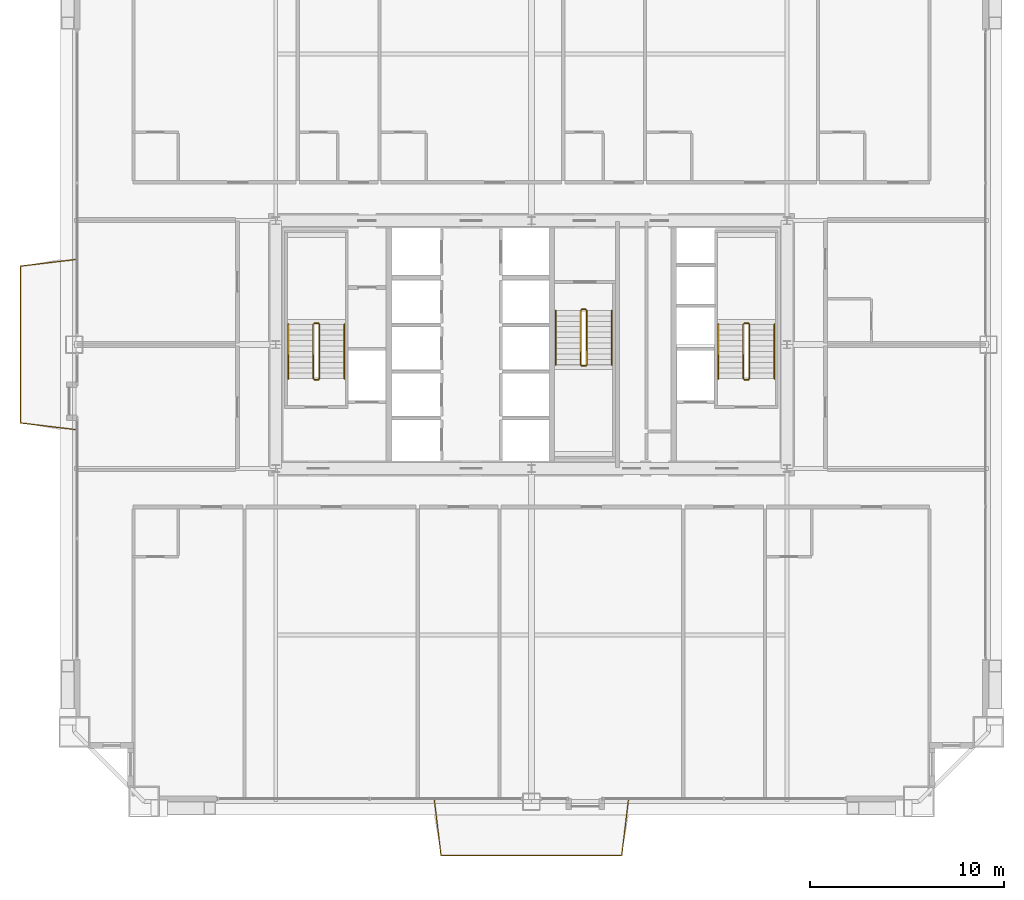
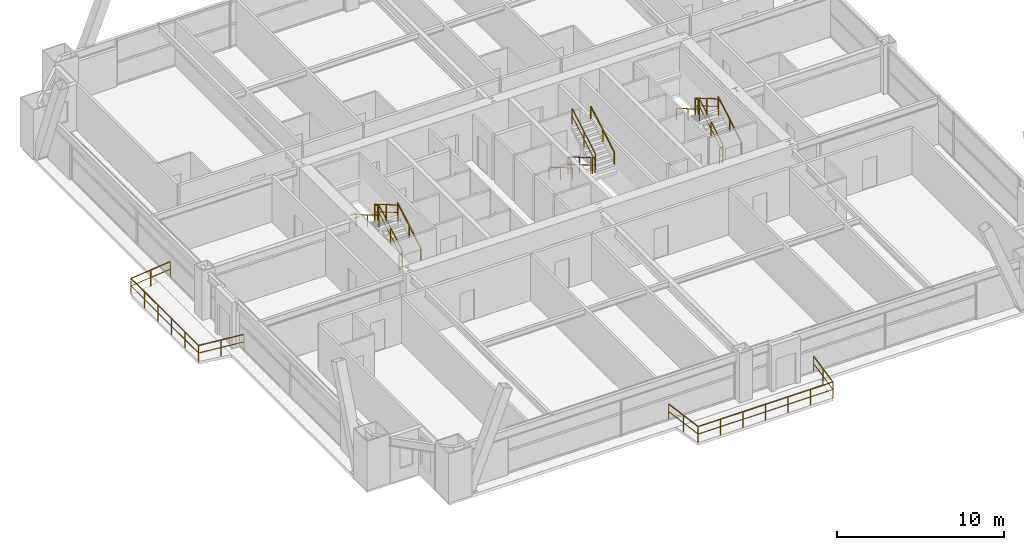
# One storey, part 42 of 42: 20 railings.
"""IFC4 building model written with IfcOpenShell, lengths in metres."""

from ifc_helpers import new_model, si_unit, direction, frame, origin, origin_2d, place, context, subcontext, project, spatial, rectangle, extrude, source, transform, mapped, material, layer, layer_set, type_object, element, save


model = new_model("IFC4")

# Units and contexts
model_context = context("Model", 3, precision=1e-05, world=origin(), true_north=direction((0.0, 1.0)))
body_context = subcontext(model_context, "Body", "Model", "MODEL_VIEW")
ifc_project = project(units=[si_unit("LENGTHUNIT", "METRE"), si_unit("AREAUNIT", "SQUARE_METRE"), si_unit("VOLUMEUNIT", "CUBIC_METRE"), si_unit("PLANEANGLEUNIT", "RADIAN"), si_unit("MASSUNIT", "GRAM", prefix="KILO"), si_unit("THERMODYNAMICTEMPERATUREUNIT", "KELVIN"), si_unit("POWERUNIT", "WATT")], contexts=[model_context])

# Site, building, storey
site_placement = place(None, origin())
site = spatial("IfcSite", under=ifc_project, at=site_placement, CompositionType="ELEMENT")
building_placement = place(site_placement, origin())
building = spatial("IfcBuilding", under=site, at=building_placement, Name="Yuzanri Waterfront Tower", CompositionType="ELEMENT")
storey_placement = place(building_placement, frame((0.0, 0.0, 145.199951171875)))
storey = spatial("IfcBuildingStorey", under=building, at=storey_placement, Name="L38", CompositionType="ELEMENT", Elevation=145.199951171875)

# Railings
ifc_material_1 = material(Name="Anodized Architectural Bronze", Category="metal")
ifc_layer_1 = layer(ifc_material_1, 0.080078125)
ifc_layer_set_1 = layer_set([ifc_layer_1], Name="Anodized Architectural Bronze")
railing_type_1 = type_object("IfcRailingType", Name="Laminated Glass and Bronze Balcony Guardrail 1200", PredefinedType="BALUSTRADE", material=ifc_layer_set_1)
shared_shape_1 = source(origin(), body_context, "Body", "SweptSolid", [
    extrude(rectangle(XDim=0.050048828125, YDim=0.050048828125, at=origin_2d()), frame((0.0, 0.0, 1.1748046875), z_axis=(0.118763118819, -0.992922616123, 0.0), x_axis=(0.992922616123, 0.118763118819, 0.0)), (0.0, 0.0, 1.0), 2.94775390625),
    extrude(rectangle(XDim=0.035888671875, YDim=0.030029296875, at=origin_2d()), frame((0.0, 0.0, 0.6240234375), z_axis=(0.118763118819, -0.992922616123, 0.0), x_axis=(0.992922616123, 0.118763118819, 0.0)), (0.0, 0.0, 1.0), 2.94775390625),
    extrude(rectangle(XDim=0.050048828125, YDim=0.050048828125, at=origin_2d()), frame((0.35009765625, -2.927001953125, 1.1748046875), z_axis=(1.0, 0.0, 0.0), x_axis=(0.0, 1.0, 0.0)), (0.0, 0.0, 1.0), 9.3330078125),
    extrude(rectangle(XDim=0.035888671875, YDim=0.030029296875, at=origin_2d()), frame((0.35009765625, -2.927001953125, 0.6240234375), z_axis=(1.0, 0.0, 0.0), x_axis=(0.0, 1.0, 0.0)), (0.0, 0.0, 1.0), 9.3330078125),
    extrude(rectangle(XDim=0.050048828125, YDim=0.050048828125, at=origin_2d()), frame((9.68310546875, -2.927001953125, 1.1748046875), z_axis=(0.118763118819, 0.992922616123, 0.0), x_axis=(-0.992922616123, 0.118763118819, 0.0)), (0.0, 0.0, 1.0), 2.94775390625),
    extrude(rectangle(XDim=0.035888671875, YDim=0.030029296875, at=origin_2d()), frame((9.68310546875, -2.927001953125, 0.6240234375), z_axis=(0.118763118819, 0.992922616123, 0.0), x_axis=(-0.992922616123, 0.118763118819, 0.0)), (0.0, 0.0, 1.0), 2.94775390625),
    extrude(rectangle(XDim=0.0458984375, YDim=0.0458984375, at=origin_2d()), origin(), (0.0, 0.0, 1.0), 1.14990234375),
    extrude(rectangle(XDim=0.0458984375, YDim=0.0458984375, at=origin_2d()), frame((0.175048828125, -1.46337890625, 0.0)), (0.0, 0.0, 1.0), 1.14990234375),
    extrude(rectangle(XDim=0.0458984375, YDim=0.0458984375, at=origin_2d()), frame((0.35009765625, -2.927001953125, 0.0)), (0.0, 0.0, 1.0), 1.14990234375),
    extrude(rectangle(XDim=0.0458984375, YDim=0.0458984375, at=origin_2d()), frame((1.905517578125, -2.927001953125, 0.0)), (0.0, 0.0, 1.0), 1.14990234375),
    extrude(rectangle(XDim=0.0458984375, YDim=0.0458984375, at=origin_2d()), frame((3.461181640625, -2.927001953125, 0.0)), (0.0, 0.0, 1.0), 1.14990234375),
    extrude(rectangle(XDim=0.0458984375, YDim=0.0458984375, at=origin_2d()), frame((5.0166015625, -2.927001953125, 0.0)), (0.0, 0.0, 1.0), 1.14990234375),
    extrude(rectangle(XDim=0.0458984375, YDim=0.0458984375, at=origin_2d()), frame((6.572021484375, -2.927001953125, 0.0)), (0.0, 0.0, 1.0), 1.14990234375),
    extrude(rectangle(XDim=0.0458984375, YDim=0.0458984375, at=origin_2d()), frame((8.127685546875, -2.927001953125, 0.0)), (0.0, 0.0, 1.0), 1.14990234375),
    extrude(rectangle(XDim=0.0458984375, YDim=0.0458984375, at=origin_2d()), frame((9.68310546875, -2.927001953125, 0.0)), (0.0, 0.0, 1.0), 1.14990234375),
    extrude(rectangle(XDim=0.0458984375, YDim=0.0458984375, at=origin_2d()), frame((9.858154296875, -1.46337890625, 0.0)), (0.0, 0.0, 1.0), 1.14990234375),
    extrude(rectangle(XDim=0.0458984375, YDim=0.0458984375, at=origin_2d()), frame((10.033203125, 0.0, 0.0)), (0.0, 0.0, 1.0), 1.14990234375),
])
railing_1_placement = place(storey_placement, frame((31.9833984375, 2.35009765625, 0.0)))
element("IfcRailing", 1, at=railing_1_placement, inside=storey, type_object=railing_type_1, Name="L38 S Engawa Terrace Guardrail", PredefinedType="BALUSTRADE", context=body_context, shape_type="MappedRepresentation", body=[
    mapped(shared_shape_1, transform((0.0, 0.0, 0.0), scale=1.0)),
])
shared_shape_2 = source(origin(), body_context, "Body", "SweptSolid", [
    extrude(rectangle(XDim=0.050048828125, YDim=0.050048828125, at=origin_2d()), frame((0.0, 0.0, 1.1748046875), z_axis=(-0.992922616123, 0.118763118819, 0.0), x_axis=(-0.118763118819, -0.992922616123, 0.0)), (0.0, 0.0, 1.0), 2.94775390625),
    extrude(rectangle(XDim=0.035888671875, YDim=0.030029296875, at=origin_2d()), frame((0.0, 0.0, 0.6240234375), z_axis=(-0.992922616123, 0.118763118819, 0.0), x_axis=(-0.118763118819, -0.992922616123, 0.0)), (0.0, 0.0, 1.0), 2.94775390625),
    extrude(rectangle(XDim=0.050048828125, YDim=0.050048828125, at=origin_2d()), frame((-2.927001953125, 0.35009765625, 1.1748046875), z_axis=(0.0, 1.0, 0.0), x_axis=(-1.0, 0.0, 0.0)), (0.0, 0.0, 1.0), 8.10009765625),
    extrude(rectangle(XDim=0.035888671875, YDim=0.030029296875, at=origin_2d()), frame((-2.927001953125, 0.35009765625, 0.6240234375), z_axis=(0.0, 1.0, 0.0), x_axis=(-1.0, 0.0, 0.0)), (0.0, 0.0, 1.0), 8.10009765625),
    extrude(rectangle(XDim=0.050048828125, YDim=0.050048828125, at=origin_2d()), frame((-2.927001953125, 8.4501953125, 1.1748046875), z_axis=(0.992932379148, 0.118681466287, 0.0), x_axis=(-0.118681466287, 0.992932379148, 0.0)), (0.0, 0.0, 1.0), 2.94775390625),
    extrude(rectangle(XDim=0.035888671875, YDim=0.030029296875, at=origin_2d()), frame((-2.927001953125, 8.4501953125, 0.6240234375), z_axis=(0.992932379148, 0.118681466287, 0.0), x_axis=(-0.118681466287, 0.992932379148, 0.0)), (0.0, 0.0, 1.0), 2.94775390625),
    extrude(rectangle(XDim=0.0458984375, YDim=0.0458984375, at=origin_2d()), origin(), (0.0, 0.0, 1.0), 1.14990234375),
    extrude(rectangle(XDim=0.0458984375, YDim=0.0458984375, at=origin_2d()), frame((-1.46337890625, 0.175048828125, 0.0)), (0.0, 0.0, 1.0), 1.14990234375),
    extrude(rectangle(XDim=0.0458984375, YDim=0.0458984375, at=origin_2d()), frame((-2.927001953125, 0.35009765625, 0.0)), (0.0, 0.0, 1.0), 1.14990234375),
    extrude(rectangle(XDim=0.0458984375, YDim=0.0458984375, at=origin_2d()), frame((-2.927001953125, 1.97021484375, 0.0)), (0.0, 0.0, 1.0), 1.14990234375),
    extrude(rectangle(XDim=0.0458984375, YDim=0.0458984375, at=origin_2d()), frame((-2.927001953125, 3.590087890625, 0.0)), (0.0, 0.0, 1.0), 1.14990234375),
    extrude(rectangle(XDim=0.0458984375, YDim=0.0458984375, at=origin_2d()), frame((-2.927001953125, 5.210205078125, 0.0)), (0.0, 0.0, 1.0), 1.14990234375),
    extrude(rectangle(XDim=0.0458984375, YDim=0.0458984375, at=origin_2d()), frame((-2.927001953125, 6.830078125, 0.0)), (0.0, 0.0, 1.0), 1.14990234375),
    extrude(rectangle(XDim=0.0458984375, YDim=0.0458984375, at=origin_2d()), frame((-2.927001953125, 8.4501953125, 0.0)), (0.0, 0.0, 1.0), 1.14990234375),
    extrude(rectangle(XDim=0.0458984375, YDim=0.0458984375, at=origin_2d()), frame((-1.46337890625, 8.625, 0.0)), (0.0, 0.0, 1.0), 1.14990234375),
    extrude(rectangle(XDim=0.0458984375, YDim=0.0458984375, at=origin_2d()), frame((0.0, 8.800048828125, 0.0)), (0.0, 0.0, 1.0), 1.14990234375),
])
railing_2_placement = place(storey_placement, frame((13.550048828125, 21.39990234375, 0.0)))
element("IfcRailing", 2, at=railing_2_placement, inside=storey, type_object=railing_type_1, Name="L38 W Engawa Terrace Guardrail", PredefinedType="BALUSTRADE", context=body_context, shape_type="MappedRepresentation", body=[
    mapped(shared_shape_2, transform((0.0, 0.0, 0.0), scale=1.0)),
])
ifc_material_2 = material(Name="Painted Galvanized Fire Steel", Category="steel")
ifc_layer_2 = layer(ifc_material_2, 0.06005859375)
ifc_layer_set_2 = layer_set([ifc_layer_2], Name="Painted Galvanized Fire Steel")
railing_type_2 = type_object("IfcRailingType", Name="Painted Steel Stairwell Guardrail 1120", PredefinedType="GUARDRAIL", material=ifc_layer_set_2)
shared_shape_3 = source(origin(), body_context, "Body", "SweptSolid", [
    extrude(rectangle(XDim=0.050048828125, YDim=0.050048828125, at=origin_2d()), frame((0.0, 0.0, 1.1748046875), z_axis=(-1.0, 0.0, 0.0), x_axis=(0.0, -1.0, 0.0)), (0.0, 0.0, 1.0), 0.199951171875),
    extrude(rectangle(XDim=0.035888671875, YDim=0.030029296875, at=origin_2d()), frame((0.0, 0.0, 0.6240234375), z_axis=(-1.0, 0.0, 0.0), x_axis=(0.0, -1.0, 0.0)), (0.0, 0.0, 1.0), 0.199951171875),
    extrude(rectangle(XDim=0.0458984375, YDim=0.0458984375, at=origin_2d()), origin(), (0.0, 0.0, 1.0), 1.14990234375),
    extrude(rectangle(XDim=0.0458984375, YDim=0.0458984375, at=origin_2d()), frame((-0.199951171875, 0.0, 0.0)), (0.0, 0.0, 1.0), 1.14990234375),
])
for number, where, name in (
    (3, (26.0, 26.889892578125, 1.800048828125), "L38 ST-01 stair guard 2"),
    (4, (26.0, 23.989990234375, 0.0), "L38 ST-01 stair guard 4"),
    (5, (48.199951171875, 26.889892578125, 1.800048828125), "L38 ST-02 stair guard 2"),
    (6, (48.199951171875, 23.989990234375, 0.0), "L38 ST-02 stair guard 4"),
):
    element("IfcRailing", number, at=place(storey_placement, frame(where)), inside=storey, type_object=railing_type_2, Name=name, PredefinedType="GUARDRAIL", context=body_context, shape_type="MappedRepresentation", body=[
        mapped(shared_shape_3, transform((0.0, 0.0, 0.0), scale=1.0)),
    ])
shared_shape_4 = source(origin(), body_context, "Body", "SweptSolid", [
    extrude(rectangle(XDim=0.050048828125, YDim=0.050048828125, at=origin_2d()), frame((0.0, 0.0, 1.1748046875), z_axis=(0.0, 0.863360870873, 0.504586966384), x_axis=(-1.0, 0.0, 0.0)), (0.0, 0.0, 1.0), 3.2431640625),
    extrude(rectangle(XDim=0.035888671875, YDim=0.030029296875, at=origin_2d()), frame((0.0, 0.0, 0.6240234375), z_axis=(0.0, 0.863360870873, 0.504586966384), x_axis=(-1.0, 0.0, 0.0)), (0.0, 0.0, 1.0), 3.2431640625),
    extrude(rectangle(XDim=0.0458984375, YDim=0.0458984375, at=origin_2d()), origin(), (0.0, 0.0, 1.0), 1.14990234375),
    extrude(rectangle(XDim=0.0458984375, YDim=0.0458984375, at=origin_2d()), frame((0.0, 1.39990234375, 0.818359375)), (0.0, 0.0, 1.0), 1.14990234375),
    extrude(rectangle(XDim=0.0458984375, YDim=0.0458984375, at=origin_2d()), frame((0.0, 2.800048828125, 1.636474609375)), (0.0, 0.0, 1.0), 1.14990234375),
])
for number, where, name in (
    (7, (26.050048828125, 24.0400390625, 0.16357421875), "L38 ST-01 stair guard 1"),
    (8, (48.25, 24.0400390625, 0.16357421875), "L38 ST-02 stair guard 1"),
    (9, (39.85009765625, 24.760009765625, 1.963623046875), "L38 ST-03 stair guard 3"),
):
    element("IfcRailing", number, at=place(storey_placement, frame(where)), inside=storey, type_object=railing_type_2, Name=name, PredefinedType="GUARDRAIL", context=body_context, shape_type="MappedRepresentation", body=[
        mapped(shared_shape_4, transform((0.0, 0.0, 0.0), scale=1.0)),
    ])
shared_shape_5 = source(origin(), body_context, "Body", "SweptSolid", [
    extrude(rectangle(XDim=0.050048828125, YDim=0.050048828125, at=origin_2d()), frame((0.0, 0.0, 1.1748046875), z_axis=(0.0, -0.863360870873, 0.504586966384), x_axis=(1.0, 0.0, 0.0)), (0.0, 0.0, 1.0), 3.2431640625),
    extrude(rectangle(XDim=0.035888671875, YDim=0.030029296875, at=origin_2d()), frame((0.0, 0.0, 0.6240234375), z_axis=(0.0, -0.863360870873, 0.504586966384), x_axis=(1.0, 0.0, 0.0)), (0.0, 0.0, 1.0), 3.2431640625),
    extrude(rectangle(XDim=0.0458984375, YDim=0.0458984375, at=origin_2d()), origin(), (0.0, 0.0, 1.0), 1.14990234375),
    extrude(rectangle(XDim=0.0458984375, YDim=0.0458984375, at=origin_2d()), frame((0.0, -1.39990234375, 0.818359375)), (0.0, 0.0, 1.0), 1.14990234375),
    extrude(rectangle(XDim=0.0458984375, YDim=0.0458984375, at=origin_2d()), frame((0.0, -2.800048828125, 1.636474609375)), (0.0, 0.0, 1.0), 1.14990234375),
])
for number, where, name in (
    (10, (25.75, 26.840087890625, 1.963623046875), "L38 ST-01 stair guard 3"),
    (11, (47.949951171875, 26.840087890625, 1.963623046875), "L38 ST-02 stair guard 3"),
    (12, (39.550048828125, 27.56005859375, 0.16357421875), "L38 ST-03 stair guard 1"),
):
    element("IfcRailing", number, at=place(storey_placement, frame(where)), inside=storey, type_object=railing_type_2, Name=name, PredefinedType="GUARDRAIL", context=body_context, shape_type="MappedRepresentation", body=[
        mapped(shared_shape_5, transform((0.0, 0.0, 0.0), scale=1.0)),
    ])
ifc_material_3 = material(Name="Anodized Architectural Bronze", Category="metal")
ifc_layer_3 = layer(ifc_material_3, 0.050048828125)
ifc_layer_set_3 = layer_set([ifc_layer_3], Name="Anodized Architectural Bronze")
railing_type_3 = type_object("IfcRailingType", Name="Brushed Bronze Stair Pitch Handrail 920", PredefinedType="HANDRAIL", material=ifc_layer_set_3)
shared_shape_6 = source(origin(), body_context, "Body", "SweptSolid", [
    extrude(rectangle(XDim=0.050048828125, YDim=0.050048828125, at=origin_2d()), frame((0.0, 0.0, 0.875), z_axis=(0.0, 0.863360870873, 0.504586966384), x_axis=(-1.0, 0.0, 0.0)), (0.0, 0.0, 1.0), 3.2431640625),
    extrude(rectangle(XDim=0.0458984375, YDim=0.0458984375, at=origin_2d()), origin(), (0.0, 0.0, 1.0), 0.849853515625),
    extrude(rectangle(XDim=0.0458984375, YDim=0.0458984375, at=origin_2d()), frame((0.0, 1.39990234375, 0.818359375)), (0.0, 0.0, 1.0), 0.849853515625),
    extrude(rectangle(XDim=0.0458984375, YDim=0.0458984375, at=origin_2d()), frame((0.0, 2.800048828125, 1.636474609375)), (0.0, 0.0, 1.0), 0.849853515625),
])
for number, where, name in (
    (13, (27.35009765625, 24.0400390625, 0.16357421875), "L38 ST-01 stair handrail 1"),
    (14, (49.550048828125, 24.0400390625, 0.16357421875), "L38 ST-02 stair handrail 1"),
    (15, (41.14990234375, 24.760009765625, 1.963623046875), "L38 ST-03 stair handrail 2"),
):
    element("IfcRailing", number, at=place(storey_placement, frame(where)), inside=storey, type_object=railing_type_3, Name=name, PredefinedType="HANDRAIL", context=body_context, shape_type="MappedRepresentation", body=[
        mapped(shared_shape_6, transform((0.0, 0.0, 0.0), scale=1.0)),
    ])
shared_shape_7 = source(origin(), body_context, "Body", "SweptSolid", [
    extrude(rectangle(XDim=0.050048828125, YDim=0.050048828125, at=origin_2d()), frame((0.0, 0.0, 0.875), z_axis=(0.0, -0.863360870873, 0.504586966384), x_axis=(1.0, 0.0, 0.0)), (0.0, 0.0, 1.0), 3.2431640625),
    extrude(rectangle(XDim=0.0458984375, YDim=0.0458984375, at=origin_2d()), origin(), (0.0, 0.0, 1.0), 0.849853515625),
    extrude(rectangle(XDim=0.0458984375, YDim=0.0458984375, at=origin_2d()), frame((0.0, -1.39990234375, 0.818359375)), (0.0, 0.0, 1.0), 0.849853515625),
    extrude(rectangle(XDim=0.0458984375, YDim=0.0458984375, at=origin_2d()), frame((0.0, -2.800048828125, 1.636474609375)), (0.0, 0.0, 1.0), 0.849853515625),
])
for number, where, name in (
    (16, (24.449951171875, 26.840087890625, 1.963623046875), "L38 ST-01 stair handrail 2"),
    (17, (46.64990234375, 26.840087890625, 1.963623046875), "L38 ST-02 stair handrail 2"),
    (18, (38.25, 27.56005859375, 0.16357421875), "L38 ST-03 stair handrail 1"),
):
    element("IfcRailing", number, at=place(storey_placement, frame(where)), inside=storey, type_object=railing_type_3, Name=name, PredefinedType="HANDRAIL", context=body_context, shape_type="MappedRepresentation", body=[
        mapped(shared_shape_7, transform((0.0, 0.0, 0.0), scale=1.0)),
    ])
shared_shape_8 = source(origin(), body_context, "Body", "SweptSolid", [
    extrude(rectangle(XDim=0.050048828125, YDim=0.050048828125, at=origin_2d()), frame((0.0, 0.0, 1.1748046875), z_axis=(1.0, 0.0, 0.0), x_axis=(0.0, 1.0, 0.0)), (0.0, 0.0, 1.0), 0.199951171875),
    extrude(rectangle(XDim=0.035888671875, YDim=0.030029296875, at=origin_2d()), frame((0.0, 0.0, 0.6240234375), z_axis=(1.0, 0.0, 0.0), x_axis=(0.0, 1.0, 0.0)), (0.0, 0.0, 1.0), 0.199951171875),
    extrude(rectangle(XDim=0.0458984375, YDim=0.0458984375, at=origin_2d()), origin(), (0.0, 0.0, 1.0), 1.14990234375),
    extrude(rectangle(XDim=0.0458984375, YDim=0.0458984375, at=origin_2d()), frame((0.199951171875, 0.0, 0.0)), (0.0, 0.0, 1.0), 1.14990234375),
])
for number, where, name in (
    (19, (39.60009765625, 24.7099609375, 1.800048828125), "L38 ST-03 stair guard 2"),
    (20, (39.60009765625, 27.610107421875, 0.0), "L38 ST-03 stair guard 4"),
):
    element("IfcRailing", number, at=place(storey_placement, frame(where)), inside=storey, type_object=railing_type_2, Name=name, PredefinedType="GUARDRAIL", context=body_context, shape_type="MappedRepresentation", body=[
        mapped(shared_shape_8, transform((0.0, 0.0, 0.0), scale=1.0)),
    ])

save(model, "model.ifc")
